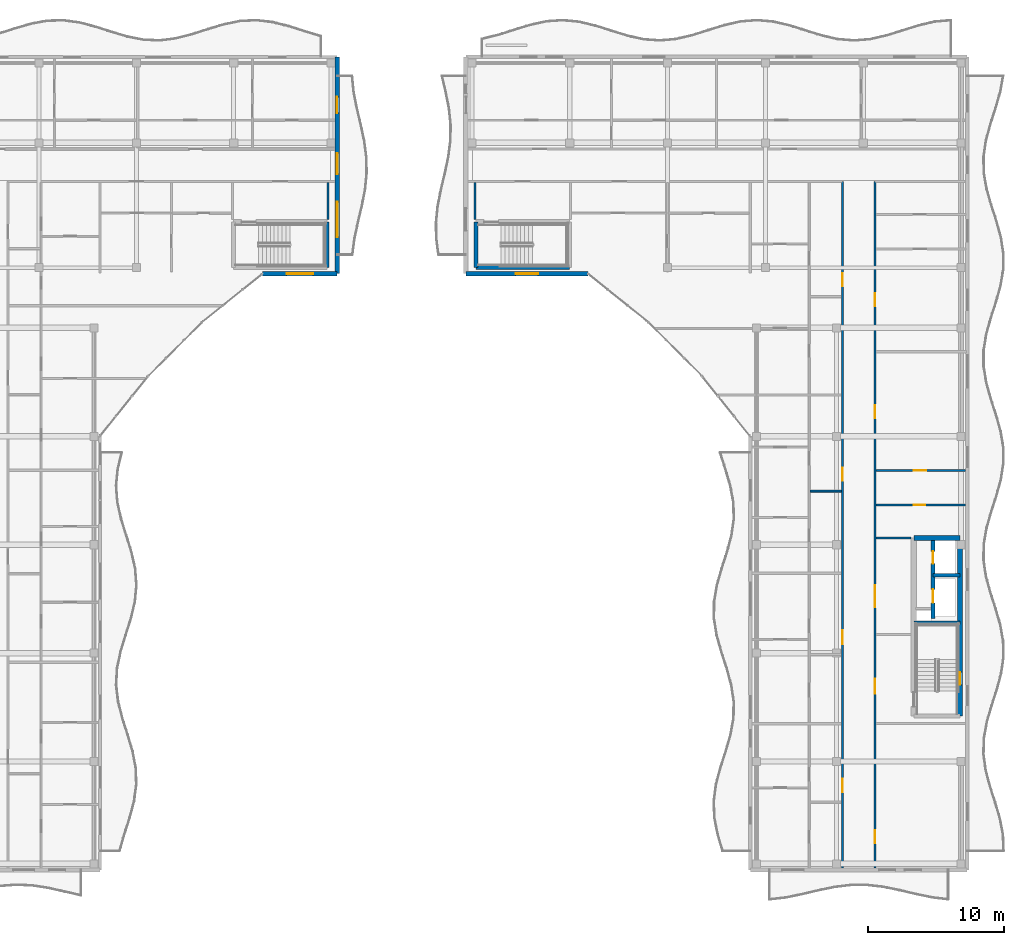
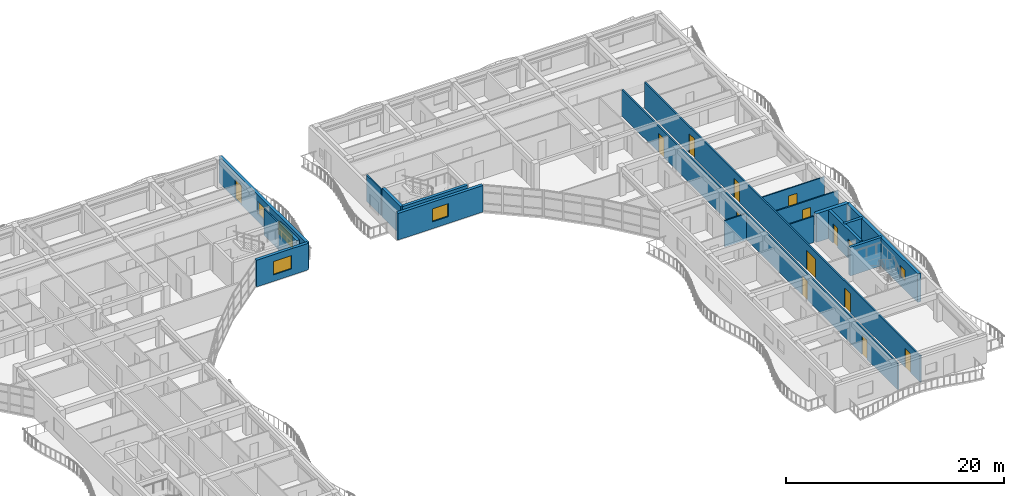
# One storey, part 43 of 72: 19 walls, 14 doors, 5 windows, 19 openings.
"""IFC4 building model written with IfcOpenShell, lengths in metres."""

from ifc_helpers import new_model, si_unit, direction, frame, frame_2d, origin, place, context, subcontext, project, spatial, rectangle, extrude, material, layer, layer_set, type_object, element, fill, save


model = new_model("IFC4")

# Units and contexts
model_context = context("Model", 3, precision=1e-05, world=origin(), true_north=direction((0.0, 1.0)))
body_context = subcontext(model_context, "Body", "Model", "MODEL_VIEW")
ifc_project = project(units=[si_unit("LENGTHUNIT", "METRE"), si_unit("AREAUNIT", "SQUARE_METRE"), si_unit("VOLUMEUNIT", "CUBIC_METRE"), si_unit("PLANEANGLEUNIT", "RADIAN"), si_unit("MASSUNIT", "GRAM", prefix="KILO")], contexts=[model_context])

# Site, building, storey
site_placement = place(None, origin())
site = spatial("IfcSite", under=ifc_project, at=site_placement, CompositionType="ELEMENT")
building_placement = place(site_placement, origin())
building = spatial("IfcBuilding", under=site, at=building_placement, Name="Keldmere Railside Commons", CompositionType="ELEMENT")
storey_placement = place(building_placement, frame((0.0, 0.0, 16.9599609375)))
storey = spatial("IfcBuildingStorey", under=building, at=storey_placement, Name="L05", CompositionType="ELEMENT", Elevation=16.9599609375)

# Wall, opening, door
ifc_material_1 = material(Name="Acoustic Gypsum Board Partition", Category="gypsum")
ifc_layer_1 = layer(ifc_material_1, 0.1201171875, Name="Apartment Interior Partition 120")
ifc_layer_set_1 = layer_set([ifc_layer_1], Name="Acoustic Gypsum Board Partition")
wall_type_1 = type_object("IfcWallType", Name="Apartment Interior Partition 120", PredefinedType="PARTITIONING", material=ifc_layer_set_1)
wall_1_placement = place(storey_placement, frame((177.280029296875, 85.47998046875, 0.0), z_axis=(0.0, 0.0, 1.0), x_axis=(1.0, 0.0, 0.0)))
wall_1 = element("IfcWall", 1, at=wall_1_placement, inside=storey, type_object=wall_type_1, Name="IW-4 IW-L05-1633", PredefinedType="PARTITIONING", context=body_context, shape_type="SweptSolid", body=[
    extrude(rectangle(XDim=6.590087890625, YDim=0.1201171875, at=frame_2d((3.294921875, 0.0))), origin(), (0.0, 0.0, 1.0), 2.93505859375),
])
opening_1_placement = place(wall_1_placement, frame((2.767822265625, 0.0, 0.0)))
opening_1 = element("IfcOpeningElement", 2, at=opening_1_placement, cuts=wall_1, Name="Opening ID-03", PredefinedType="OPENING", context=body_context, shape_type="SweptSolid", body=[
    extrude(rectangle(XDim=0.919921875, YDim=2.10009765625, at=frame_2d((0.4599609375, 1.050048828125))), frame((0.0, 0.070068359375, 0.0), z_axis=(0.0, -1.0, 0.0), x_axis=(1.0, 0.0, 0.0)), (0.0, 0.0, 1.0), 0.14013671875),
])
ifc_material_2 = material(Name="Engineered Oak Timber", Category="wood")
door_type_1 = type_object("IfcDoorType", Name="Kitchen Pocket-Frame Swing Door 920x2100", OperationType="NOTDEFINED", PredefinedType="DOOR", material=ifc_material_2)
door_1_placement = place(opening_1_placement, origin())
door_1 = element("IfcDoor", 3, at=door_1_placement, inside=storey, type_object=door_type_1, Name="ID-03 IDR-L05-1482", OperationType="SINGLE_SWING_RIGHT", OverallHeight=2.10009765625, OverallWidth=0.919921875, PredefinedType="DOOR", context=body_context, shape_type="SweptSolid", body=[
    extrude(rectangle(XDim=0.919921875, YDim=2.10009765625, at=frame_2d((0.4599609375, 1.050048828125))), frame((0.0, 0.02490234375, 0.0), z_axis=(0.0, -1.0, 0.0), x_axis=(1.0, 0.0, 0.0)), (0.0, 0.0, 1.0), 0.050048828125),
])
fill(opening_1, door_1)

# Walls
ifc_material_3 = material(Name="Concrete H-35 (C35/45)", Category="concrete")
ifc_layer_2 = layer(ifc_material_3, 0.280029296875, Name="Core Shear Wall 280")
ifc_layer_set_2 = layer_set([ifc_layer_2], Name="Concrete H-35 (C35/45)")
wall_type_2 = type_object("IfcWallType", Name="Core Shear Wall 280", PredefinedType="SHEAR", material=ifc_layer_set_2)
wall_2_placement = place(storey_placement, frame((180.06005859375, 74.239990234375, 0.0), z_axis=(0.0, 0.0, 1.0), x_axis=(1.0, 0.0, 0.0)))
element("IfcWall", 4, at=wall_2_placement, inside=storey, type_object=wall_type_2, Name="CSW-2 COREAM-L05-0772", PredefinedType="SHEAR", context=body_context, shape_type="SweptSolid", body=[
    extrude(rectangle(XDim=3.409912109375, YDim=0.280029296875, at=frame_2d((1.705078125, 0.0))), origin(), (0.0, 0.0, 1.0), 3.199951171875),
])
wall_3_placement = place(storey_placement, frame((181.469970703125, 77.75, 0.0), z_axis=(0.0, 0.0, 1.0), x_axis=(1.0, 0.0, 0.0)))
element("IfcWall", 5, at=wall_3_placement, inside=storey, type_object=wall_type_2, Name="CSW-2 COREAL-L05-0773", PredefinedType="SHEAR", context=body_context, shape_type="SweptSolid", body=[
    extrude(rectangle(XDim=2.0, YDim=0.280029296875, at=frame_2d((1.0, 0.0))), origin(), (0.0, 0.0, 1.0), 3.199951171875),
])

# Wall, openings, doors
wall_4_placement = place(storey_placement, frame((181.469970703125, 74.550048828125, 0.0), z_axis=(0.0, 0.0, 1.0), x_axis=(0.0, 1.0, 0.0)))
wall_4 = element("IfcWall", 6, at=wall_4_placement, inside=storey, type_object=wall_type_2, Name="CSW-2 LSHA-L05-0774", PredefinedType="SHEAR", context=body_context, shape_type="SweptSolid", body=[
    extrude(rectangle(XDim=5.949951171875, YDim=0.280029296875, at=frame_2d((2.97509765625, 0.0))), origin(), (0.0, 0.0, 1.0), 3.199951171875),
])
opening_2_placement = place(wall_4_placement, frame((1.14990234375, 0.0, 0.0)))
opening_2 = element("IfcOpeningElement", 7, at=opening_2_placement, cuts=wall_4, Name="Opening LD-1", PredefinedType="OPENING", context=body_context, shape_type="SweptSolid", body=[
    extrude(rectangle(XDim=1.0, YDim=2.14990234375, at=frame_2d((0.5, 1.074951171875))), frame((0.0, 0.14990234375, 0.0), z_axis=(0.0, -1.0, 0.0), x_axis=(1.0, 0.0, 0.0)), (0.0, 0.0, 1.0), 0.300048828125),
])
opening_3_placement = place(wall_4_placement, frame((4.050048828125, 0.0, 0.0)))
opening_3 = element("IfcOpeningElement", 8, at=opening_3_placement, cuts=wall_4, Name="Opening LD-2", PredefinedType="OPENING", context=body_context, shape_type="SweptSolid", body=[
    extrude(rectangle(XDim=0.89990234375, YDim=2.14990234375, at=frame_2d((0.449951171875, 1.074951171875))), frame((0.0, 0.14990234375, 0.0), z_axis=(0.0, -1.0, 0.0), x_axis=(1.0, 0.0, 0.0)), (0.0, 0.0, 1.0), 0.300048828125),
])
ifc_material_4 = material(Name="Steel F-24 (S235)", Category="steel")
door_type_2 = type_object("IfcDoorType", Name="Firefighting Stretcher Lift Landing Door 1000x2150", OperationType="SLIDING_TO_LEFT", PredefinedType="DOOR", material=ifc_material_4)
door_2_placement = place(opening_2_placement, origin())
door_2 = element("IfcDoor", 9, at=door_2_placement, inside=storey, type_object=door_type_2, Name="LD-1 A L05", OperationType="SLIDING_TO_LEFT", OverallHeight=2.14990234375, OverallWidth=1.0, PredefinedType="DOOR", context=body_context, shape_type="SweptSolid", body=[
    extrude(rectangle(XDim=1.0, YDim=2.14990234375, at=frame_2d((0.5, 1.074951171875))), frame((0.0, 0.02490234375, 0.0), z_axis=(0.0, -1.0, 0.0), x_axis=(1.0, 0.0, 0.0)), (0.0, 0.0, 1.0), 0.050048828125),
])
fill(opening_2, door_2)
door_type_3 = type_object("IfcDoorType", Name="Passenger Lift Sliding Landing Door 900x2150", OperationType="SLIDING_TO_RIGHT", PredefinedType="DOOR", material=ifc_material_4)
door_3_placement = place(opening_3_placement, origin())
door_3 = element("IfcDoor", 10, at=door_3_placement, inside=storey, type_object=door_type_3, Name="LD-2 A L05", OperationType="SLIDING_TO_RIGHT", OverallHeight=2.14990234375, OverallWidth=0.89990234375, PredefinedType="DOOR", context=body_context, shape_type="SweptSolid", body=[
    extrude(rectangle(XDim=0.89990234375, YDim=2.14990234375, at=frame_2d((0.449951171875, 1.074951171875))), frame((0.0, 0.02490234375, 0.0), z_axis=(0.0, -1.0, 0.0), x_axis=(1.0, 0.0, 0.0)), (0.0, 0.0, 1.0), 0.050048828125),
])
fill(opening_3, door_3)

# Wall
ifc_material_5 = material(Name="Concrete H-40 (C40/50)", Category="concrete")
ifc_layer_3 = layer(ifc_material_5, 0.3798828125, Name="Core Shear Wall 380")
ifc_layer_set_3 = layer_set([ifc_layer_3], Name="Concrete H-40 (C40/50)")
wall_type_3 = type_object("IfcWallType", Name="Core Shear Wall 380", PredefinedType="SHEAR", material=ifc_layer_set_3)
wall_5_placement = place(storey_placement, frame((180.06005859375, 80.5, 0.0), z_axis=(0.0, 0.0, 1.0), x_axis=(1.0, 0.0, 0.0)))
element("IfcWall", 11, at=wall_5_placement, inside=storey, type_object=wall_type_3, Name="CW-CORE COREAN-L05-0769", PredefinedType="SHEAR", context=body_context, shape_type="SweptSolid", body=[
    extrude(rectangle(XDim=3.409912109375, YDim=0.3798828125, at=frame_2d((1.705078125, 0.0))), origin(), (0.0, 0.0, 1.0), 3.199951171875),
])

# Wall, openings, doors
ifc_layer_4 = layer(ifc_material_1, 0.159912109375, Name="Corridor Fire Partition 160")
ifc_layer_set_4 = layer_set([ifc_layer_4], Name="Acoustic Gypsum Board Partition")
wall_type_4 = type_object("IfcWallType", Name="Corridor Fire Partition 160", PredefinedType="PARTITIONING", material=ifc_layer_set_4)
wall_6_placement = place(storey_placement, frame((174.800048828125, 56.159912109375, 0.0), z_axis=(0.0, 0.0, 1.0), x_axis=(0.0, 1.0, 0.0)))
wall_6 = element("IfcWall", 12, at=wall_6_placement, inside=storey, type_object=wall_type_4, Name="IW-2 IW-L05-1596", PredefinedType="PARTITIONING", context=body_context, shape_type="SweptSolid", body=[
    extrude(rectangle(XDim=50.64013671875, YDim=0.159912109375, at=frame_2d((25.320068359375, 0.0))), origin(), (0.0, 0.0, 1.0), 2.93505859375),
])
opening_4_placement = place(wall_6_placement, frame((5.590087890625, 0.0, 0.0)))
opening_4 = element("IfcOpeningElement", 13, at=opening_4_placement, cuts=wall_6, Name="Opening FD-7", PredefinedType="OPENING", context=body_context, shape_type="SweptSolid", body=[
    extrude(rectangle(XDim=0.97998046875, YDim=2.14990234375, at=frame_2d((0.489990234375, 1.074951171875))), frame((0.0, 0.08984375, 0.0), z_axis=(0.0, -1.0, 0.0), x_axis=(1.0, 0.0, 0.0)), (0.0, 0.0, 1.0), 0.179931640625),
])
opening_5_placement = place(wall_6_placement, frame((16.489990234375, 0.0, 0.0)))
opening_5 = element("IfcOpeningElement", 14, at=opening_5_placement, cuts=wall_6, Name="Opening FD-8", PredefinedType="OPENING", context=body_context, shape_type="SweptSolid", body=[
    extrude(rectangle(XDim=1.02001953125, YDim=2.14990234375, at=frame_2d((0.510009765625, 1.074951171875))), frame((0.0, 0.08984375, 0.0), z_axis=(0.0, -1.0, 0.0), x_axis=(1.0, 0.0, 0.0)), (0.0, 0.0, 1.0), 0.179931640625),
])
opening_6_placement = place(wall_6_placement, frame((28.550048828125, 0.0, 0.0)))
opening_6 = element("IfcOpeningElement", 15, at=opening_6_placement, cuts=wall_6, Name="Opening FD-7", PredefinedType="OPENING", context=body_context, shape_type="SweptSolid", body=[
    extrude(rectangle(XDim=0.97998046875, YDim=2.14990234375, at=frame_2d((0.489990234375, 1.074951171875))), frame((0.0, 0.08984375, 0.0), z_axis=(0.0, -1.0, 0.0), x_axis=(1.0, 0.0, 0.0)), (0.0, 0.0, 1.0), 0.179931640625),
])
opening_7_placement = place(wall_6_placement, frame((42.89990234375, 0.0, 0.0)))
opening_7 = element("IfcOpeningElement", 16, at=opening_7_placement, cuts=wall_6, Name="Opening FD-7", PredefinedType="OPENING", context=body_context, shape_type="SweptSolid", body=[
    extrude(rectangle(XDim=0.97998046875, YDim=2.14990234375, at=frame_2d((0.489990234375, 1.074951171875))), frame((0.0, 0.08984375, 0.0), z_axis=(0.0, -1.0, 0.0), x_axis=(1.0, 0.0, 0.0)), (0.0, 0.0, 1.0), 0.179931640625),
])
door_type_4 = type_object("IfcDoorType", Name="Adaptable Apartment Entrance Fire Door 1020x2150", OperationType="NOTDEFINED", PredefinedType="DOOR", material=ifc_material_2)
door_4_placement = place(opening_5_placement, origin())
door_4 = element("IfcDoor", 17, at=door_4_placement, inside=storey, type_object=door_type_4, Name="FD-8 IDR-L05-1454", OperationType="SINGLE_SWING_RIGHT", OverallHeight=2.14990234375, OverallWidth=1.02001953125, PredefinedType="DOOR", context=body_context, shape_type="SweptSolid", body=[
    extrude(rectangle(XDim=1.02001953125, YDim=2.14990234375, at=frame_2d((0.510009765625, 1.074951171875))), frame((0.0, 0.02490234375, 0.0), z_axis=(0.0, -1.0, 0.0), x_axis=(1.0, 0.0, 0.0)), (0.0, 0.0, 1.0), 0.050048828125),
])
fill(opening_5, door_4)
door_type_5 = type_object("IfcDoorType", Name="Apartment Entrance Acoustic Fire Door 980x2150", OperationType="NOTDEFINED", PredefinedType="DOOR", material=ifc_material_2)
door_5_placement = place(opening_4_placement, origin())
door_5 = element("IfcDoor", 18, at=door_5_placement, inside=storey, type_object=door_type_5, Name="FD-7 IDR-L05-1450", OperationType="SINGLE_SWING_RIGHT", OverallHeight=2.14990234375, OverallWidth=0.97998046875, PredefinedType="DOOR", context=body_context, shape_type="SweptSolid", body=[
    extrude(rectangle(XDim=0.97998046875, YDim=2.14990234375, at=frame_2d((0.489990234375, 1.074951171875))), frame((0.0, 0.02490234375, 0.0), z_axis=(0.0, -1.0, 0.0), x_axis=(1.0, 0.0, 0.0)), (0.0, 0.0, 1.0), 0.050048828125),
])
fill(opening_4, door_5)
door_6_placement = place(opening_6_placement, origin())
door_6 = element("IfcDoor", 19, at=door_6_placement, inside=storey, type_object=door_type_5, Name="FD-7 IDR-L05-1458", OperationType="SINGLE_SWING_RIGHT", OverallHeight=2.14990234375, OverallWidth=0.97998046875, PredefinedType="DOOR", context=body_context, shape_type="SweptSolid", body=[
    extrude(rectangle(XDim=0.97998046875, YDim=2.14990234375, at=frame_2d((0.489990234375, 1.074951171875))), frame((0.0, 0.02490234375, 0.0), z_axis=(0.0, -1.0, 0.0), x_axis=(1.0, 0.0, 0.0)), (0.0, 0.0, 1.0), 0.050048828125),
])
fill(opening_6, door_6)
door_7_placement = place(opening_7_placement, origin())
door_7 = element("IfcDoor", 20, at=door_7_placement, inside=storey, type_object=door_type_5, Name="FD-7 IDR-L05-1463", OperationType="SINGLE_SWING_LEFT", OverallHeight=2.14990234375, OverallWidth=0.97998046875, PredefinedType="DOOR", context=body_context, shape_type="SweptSolid", body=[
    extrude(rectangle(XDim=0.97998046875, YDim=2.14990234375, at=frame_2d((0.489990234375, 1.074951171875))), frame((0.0, 0.02490234375, 0.0), z_axis=(0.0, -1.0, 0.0), x_axis=(1.0, 0.0, 0.0)), (0.0, 0.0, 1.0), 0.050048828125),
])
fill(opening_7, door_7)

wall_7_placement = place(storey_placement, frame((177.199951171875, 56.159912109375, 0.0), z_axis=(0.0, 0.0, 1.0), x_axis=(0.0, 1.0, 0.0)))
wall_7 = element("IfcWall", 21, at=wall_7_placement, inside=storey, type_object=wall_type_4, Name="IW-2 IW-L05-1597", PredefinedType="PARTITIONING", context=body_context, shape_type="SweptSolid", body=[
    extrude(rectangle(XDim=50.64013671875, YDim=0.159912109375, at=frame_2d((25.320068359375, 0.0))), origin(), (0.0, 0.0, 1.0), 2.93505859375),
])
opening_8_placement = place(wall_7_placement, frame((12.840087890625, 0.0, 0.0)))
opening_8 = element("IfcOpeningElement", 22, at=opening_8_placement, cuts=wall_7, Name="Opening FD-2", PredefinedType="OPENING", context=body_context, shape_type="SweptSolid", body=[
    extrude(rectangle(XDim=1.10009765625, YDim=2.14990234375, at=frame_2d((0.550048828125, 1.074951171875))), frame((0.0, 0.08984375, 0.0), z_axis=(0.0, -1.0, 0.0), x_axis=(1.0, 0.0, 0.0)), (0.0, 0.0, 1.0), 0.179931640625),
])
opening_9_placement = place(wall_7_placement, frame((19.239990234375, 0.0, 0.0)))
opening_9 = element("IfcOpeningElement", 23, at=opening_9_placement, cuts=wall_7, Name="Opening FD-4", PredefinedType="OPENING", context=body_context, shape_type="SweptSolid", body=[
    extrude(rectangle(XDim=1.60009765625, YDim=2.14990234375, at=frame_2d((0.800048828125, 1.074951171875))), frame((0.0, 0.08984375, 0.0), z_axis=(0.0, -1.0, 0.0), x_axis=(1.0, 0.0, 0.0)), (0.0, 0.0, 1.0), 0.179931640625),
])
opening_10_placement = place(wall_7_placement, frame((1.800048828125, 0.0, 0.0)))
opening_10 = element("IfcOpeningElement", 24, at=opening_10_placement, cuts=wall_7, Name="Opening ID-08", PredefinedType="OPENING", context=body_context, shape_type="SweptSolid", body=[
    extrude(rectangle(XDim=0.9599609375, YDim=2.14990234375, at=frame_2d((0.47998046875, 1.074951171875))), frame((0.0, 0.08984375, 0.0), z_axis=(0.0, -1.0, 0.0), x_axis=(1.0, 0.0, 0.0)), (0.0, 0.0, 1.0), 0.179931640625),
])
opening_11_placement = place(wall_7_placement, frame((33.169921875, 0.0, 0.0)))
opening_11 = element("IfcOpeningElement", 25, at=opening_11_placement, cuts=wall_7, Name="Opening FD-7", PredefinedType="OPENING", context=body_context, shape_type="SweptSolid", body=[
    extrude(rectangle(XDim=0.97998046875, YDim=2.14990234375, at=frame_2d((0.489990234375, 1.074951171875))), frame((0.0, 0.08984375, 0.0), z_axis=(0.0, -1.0, 0.0), x_axis=(1.0, 0.0, 0.0)), (0.0, 0.0, 1.0), 0.179931640625),
])
opening_12_placement = place(wall_7_placement, frame((41.429931640625, 0.0, 0.0)))
opening_12 = element("IfcOpeningElement", 26, at=opening_12_placement, cuts=wall_7, Name="Opening FD-7", PredefinedType="OPENING", context=body_context, shape_type="SweptSolid", body=[
    extrude(rectangle(XDim=0.97998046875, YDim=2.14990234375, at=frame_2d((0.489990234375, 1.074951171875))), frame((0.0, 0.08984375, 0.0), z_axis=(0.0, -1.0, 0.0), x_axis=(1.0, 0.0, 0.0)), (0.0, 0.0, 1.0), 0.179931640625),
])
door_8_placement = place(opening_11_placement, origin())
door_8 = element("IfcDoor", 27, at=door_8_placement, inside=storey, type_object=door_type_5, Name="FD-7 IDR-L05-1483", OperationType="SINGLE_SWING_LEFT", OverallHeight=2.14990234375, OverallWidth=0.97998046875, PredefinedType="DOOR", context=body_context, shape_type="SweptSolid", body=[
    extrude(rectangle(XDim=0.97998046875, YDim=2.14990234375, at=frame_2d((0.489990234375, 1.074951171875))), frame((0.0, 0.02490234375, 0.0), z_axis=(0.0, -1.0, 0.0), x_axis=(1.0, 0.0, 0.0)), (0.0, 0.0, 1.0), 0.050048828125),
])
fill(opening_11, door_8)
door_9_placement = place(opening_12_placement, origin())
door_9 = element("IfcDoor", 28, at=door_9_placement, inside=storey, type_object=door_type_5, Name="FD-7 IDR-L05-1486", OperationType="SINGLE_SWING_RIGHT", OverallHeight=2.14990234375, OverallWidth=0.97998046875, PredefinedType="DOOR", context=body_context, shape_type="SweptSolid", body=[
    extrude(rectangle(XDim=0.97998046875, YDim=2.14990234375, at=frame_2d((0.489990234375, 1.074951171875))), frame((0.0, 0.02490234375, 0.0), z_axis=(0.0, -1.0, 0.0), x_axis=(1.0, 0.0, 0.0)), (0.0, 0.0, 1.0), 0.050048828125),
])
fill(opening_12, door_9)
door_type_6 = type_object("IfcDoorType", Name="Corridor Cross-Compartment Double Fire Door 1600x2150", OperationType="DOUBLE_DOOR_SINGLE_SWING", PredefinedType="DOOR", material=ifc_material_4)
door_10_placement = place(opening_9_placement, origin())
door_10 = element("IfcDoor", 29, at=door_10_placement, inside=storey, type_object=door_type_6, Name="FD-4 IDR-L05-1447", OperationType="DOUBLE_DOOR_SINGLE_SWING", OverallHeight=2.14990234375, OverallWidth=1.60009765625, PredefinedType="DOOR", context=body_context, shape_type="SweptSolid", body=[
    extrude(rectangle(XDim=1.60009765625, YDim=2.14990234375, at=frame_2d((0.800048828125, 1.074951171875))), frame((0.0, 0.02490234375, 0.0), z_axis=(0.0, -1.0, 0.0), x_axis=(1.0, 0.0, 0.0)), (0.0, 0.0, 1.0), 0.050048828125),
])
fill(opening_9, door_10)
door_type_7 = type_object("IfcDoorType", Name="Firefighting Lobby Fire Door 1100x2150", OperationType="NOTDEFINED", PredefinedType="DOOR", material=ifc_material_4)
door_11_placement = place(opening_8_placement, origin())
door_11 = element("IfcDoor", 30, at=door_11_placement, inside=storey, type_object=door_type_7, Name="FD-2 IDR-L05-1446", OperationType="SINGLE_SWING_RIGHT", OverallHeight=2.14990234375, OverallWidth=1.10009765625, PredefinedType="DOOR", context=body_context, shape_type="SweptSolid", body=[
    extrude(rectangle(XDim=1.10009765625, YDim=2.14990234375, at=frame_2d((0.550048828125, 1.074951171875))), frame((0.0, 0.02490234375, 0.0), z_axis=(0.0, -1.0, 0.0), x_axis=(1.0, 0.0, 0.0)), (0.0, 0.0, 1.0), 0.050048828125),
])
fill(opening_8, door_11)
door_type_8 = type_object("IfcDoorType", Name="Study & Meeting Room Door 960x2150", OperationType="NOTDEFINED", PredefinedType="DOOR", material=ifc_material_2)
door_12_placement = place(opening_10_placement, origin())
door_12 = element("IfcDoor", 31, at=door_12_placement, inside=storey, type_object=door_type_8, Name="ID-08 IDR-L05-1480", OperationType="SINGLE_SWING_RIGHT", OverallHeight=2.14990234375, OverallWidth=0.9599609375, PredefinedType="DOOR", context=body_context, shape_type="SweptSolid", body=[
    extrude(rectangle(XDim=0.9599609375, YDim=2.14990234375, at=frame_2d((0.47998046875, 1.074951171875))), frame((0.0, 0.02490234375, 0.0), z_axis=(0.0, -1.0, 0.0), x_axis=(1.0, 0.0, 0.0)), (0.0, 0.0, 1.0), 0.050048828125),
])
fill(opening_10, door_12)

# Wall, opening, window
ifc_layer_5 = layer(ifc_material_3, 0.320068359375, Name="Exterior Shear Wall 320")
ifc_layer_set_5 = layer_set([ifc_layer_5], Name="Concrete H-35 (C35/45)")
wall_type_5 = type_object("IfcWallType", Name="Exterior Shear Wall 320", PredefinedType="SHEAR", material=ifc_layer_set_5)
wall_8_placement = place(storey_placement, frame((137.5, 100.0, 0.0), z_axis=(0.0, 0.0, 1.0), x_axis=(-1.0, 0.0, 0.0)))
wall_8 = element("IfcWall", 32, at=wall_8_placement, inside=storey, type_object=wall_type_5, Name="ESW-2 EXTB-L05-0622", PredefinedType="SHEAR", context=body_context, shape_type="SweptSolid", body=[
    extrude(rectangle(XDim=5.5, YDim=0.320068359375, at=frame_2d((2.75, 0.0))), origin(), (0.0, 0.0, 1.0), 2.97998046875),
])
opening_13_placement = place(wall_8_placement, frame((1.77490234375, 0.0, 0.719970703125)))
opening_13 = element("IfcOpeningElement", 33, at=opening_13_placement, cuts=wall_8, Name="Opening WN-38", PredefinedType="OPENING", context=body_context, shape_type="SweptSolid", body=[
    extrude(rectangle(XDim=1.949951171875, YDim=1.5, at=frame_2d((0.97509765625, 0.75))), frame((0.0, 0.169921875, 0.0), z_axis=(0.0, -1.0, 0.0), x_axis=(1.0, 0.0, 0.0)), (0.0, 0.0, 1.0), 0.340087890625),
])
ifc_material_6 = material(Name="Low-E Insulated Double Glazing", Category="glass")
window_type_1 = type_object("IfcWindowType", Name="Adaptable Apartment Wide Window 1950x1500", PartitioningType="SINGLE_PANEL", PredefinedType="WINDOW", material=ifc_material_6)
window_1_placement = place(opening_13_placement, origin())
window_1 = element("IfcWindow", 34, at=window_1_placement, inside=storey, type_object=window_type_1, Name="WN-38 WIN-L05-0442", OverallHeight=1.5, OverallWidth=1.949951171875, PartitioningType="SINGLE_PANEL", PredefinedType="WINDOW", context=body_context, shape_type="SweptSolid", body=[
    extrude(rectangle(XDim=1.949951171875, YDim=1.5, at=frame_2d((0.97509765625, 0.75))), frame((0.0, 0.030029296875, 0.0), z_axis=(0.0, -1.0, 0.0), x_axis=(1.0, 0.0, 0.0)), (0.0, 0.0, 1.0), 0.06005859375),
])
fill(opening_13, window_1)

# Wall, openings, door, windows
wall_9_placement = place(storey_placement, frame((137.5, 116.0, 0.0), z_axis=(0.0, 0.0, 1.0), x_axis=(0.0, -1.0, 0.0)))
wall_9 = element("IfcWall", 35, at=wall_9_placement, inside=storey, type_object=wall_type_5, Name="ESW-2 EXTB-L05-0623", PredefinedType="SHEAR", context=body_context, shape_type="SweptSolid", body=[
    extrude(rectangle(XDim=16.0, YDim=0.320068359375, at=frame_2d((8.0, 0.0))), origin(), (0.0, 0.0, 1.0), 2.97998046875),
])
opening_14_placement = place(wall_9_placement, frame((2.949951171875, 0.0, 0.0)))
opening_14 = element("IfcOpeningElement", 36, at=opening_14_placement, cuts=wall_9, Name="Opening BD-01", PredefinedType="OPENING", context=body_context, shape_type="SweptSolid", body=[
    extrude(rectangle(XDim=1.199951171875, YDim=2.199951171875, at=frame_2d((0.60009765625, 1.10009765625))), frame((0.0, 0.169921875, 0.0), z_axis=(0.0, -1.0, 0.0), x_axis=(1.0, 0.0, 0.0)), (0.0, 0.0, 1.0), 0.340087890625),
])
opening_15_placement = place(wall_9_placement, frame((7.10009765625, 0.0, 0.820068359375)))
opening_15 = element("IfcOpeningElement", 37, at=opening_15_placement, cuts=wall_9, Name="Opening WN-07", PredefinedType="OPENING", context=body_context, shape_type="SweptSolid", body=[
    extrude(rectangle(XDim=1.550048828125, YDim=1.39990234375, at=frame_2d((0.77490234375, 0.699951171875))), frame((0.0, 0.169921875, 0.0), z_axis=(0.0, -1.0, 0.0), x_axis=(1.0, 0.0, 0.0)), (0.0, 0.0, 1.0), 0.340087890625),
])
opening_16_placement = place(wall_9_placement, frame((10.699951171875, 0.0, 0.669921875)))
opening_16 = element("IfcOpeningElement", 38, at=opening_16_placement, cuts=wall_9, Name="Opening WN-39", PredefinedType="OPENING", context=body_context, shape_type="SweptSolid", body=[
    extrude(rectangle(XDim=2.60009765625, YDim=1.550048828125, at=frame_2d((1.300048828125, 0.77490234375))), frame((0.0, 0.169921875, 0.0), z_axis=(0.0, -1.0, 0.0), x_axis=(1.0, 0.0, 0.0)), (0.0, 0.0, 1.0), 0.340087890625),
])
ifc_material_7 = material(Name="Thermally Broken Aluminium", Category="aluminium")
door_type_9 = type_object("IfcDoorType", Name="Apartment Living Wave-Balcony Glazed Door 1200x2200", OperationType="NOTDEFINED", PredefinedType="DOOR", material=ifc_material_7)
door_13_placement = place(opening_14_placement, origin())
door_13 = element("IfcDoor", 39, at=door_13_placement, inside=storey, type_object=door_type_9, Name="BD-01 DR-L05-0162", OperationType="SINGLE_SWING_RIGHT", OverallHeight=2.199951171875, OverallWidth=1.199951171875, PredefinedType="DOOR", context=body_context, shape_type="SweptSolid", body=[
    extrude(rectangle(XDim=1.199951171875, YDim=2.199951171875, at=frame_2d((0.60009765625, 1.10009765625))), frame((0.0, 0.02490234375, 0.0), z_axis=(0.0, -1.0, 0.0), x_axis=(1.0, 0.0, 0.0)), (0.0, 0.0, 1.0), 0.050048828125),
])
fill(opening_14, door_13)
window_type_2 = type_object("IfcWindowType", Name="Primary Bedroom South Window 1550x1400", PartitioningType="SINGLE_PANEL", PredefinedType="WINDOW", material=ifc_material_6)
window_2_placement = place(opening_15_placement, origin())
window_2 = element("IfcWindow", 40, at=window_2_placement, inside=storey, type_object=window_type_2, Name="WN-07 WIN-L05-0443", OverallHeight=1.39990234375, OverallWidth=1.550048828125, PartitioningType="SINGLE_PANEL", PredefinedType="WINDOW", context=body_context, shape_type="SweptSolid", body=[
    extrude(rectangle(XDim=1.550048828125, YDim=1.39990234375, at=frame_2d((0.77490234375, 0.699951171875))), frame((0.0, 0.030029296875, 0.0), z_axis=(0.0, -1.0, 0.0), x_axis=(1.0, 0.0, 0.0)), (0.0, 0.0, 1.0), 0.06005859375),
])
fill(opening_15, window_2)
window_type_3 = type_object("IfcWindowType", Name="Three-Bed Corner Living Window 2600x1550", PartitioningType="SINGLE_PANEL", PredefinedType="WINDOW", material=ifc_material_6)
window_3_placement = place(opening_16_placement, origin())
window_3 = element("IfcWindow", 41, at=window_3_placement, inside=storey, type_object=window_type_3, Name="WN-39 WIN-L05-0444", OverallHeight=1.550048828125, OverallWidth=2.60009765625, PartitioningType="SINGLE_PANEL", PredefinedType="WINDOW", context=body_context, shape_type="SweptSolid", body=[
    extrude(rectangle(XDim=2.60009765625, YDim=1.550048828125, at=frame_2d((1.300048828125, 0.77490234375))), frame((0.0, 0.030029296875, 0.0), z_axis=(0.0, -1.0, 0.0), x_axis=(1.0, 0.0, 0.0)), (0.0, 0.0, 1.0), 0.06005859375),
])
fill(opening_16, window_3)

# Wall, opening, window
wall_10_placement = place(storey_placement, frame((156.0, 100.0, 0.0), z_axis=(0.0, 0.0, 1.0), x_axis=(-1.0, 0.0, 0.0)))
wall_10 = element("IfcWall", 42, at=wall_10_placement, inside=storey, type_object=wall_type_5, Name="ESW-2 EXTA-L05-0914", PredefinedType="SHEAR", context=body_context, shape_type="SweptSolid", body=[
    extrude(rectangle(XDim=9.0, YDim=0.320068359375, at=frame_2d((4.5, 0.0))), origin(), (0.0, 0.0, 1.0), 2.97998046875),
])
opening_17_placement = place(wall_10_placement, frame((3.675048828125, 0.0, 0.77001953125)))
opening_17 = element("IfcOpeningElement", 43, at=opening_17_placement, cuts=wall_10, Name="Opening WN-03", PredefinedType="OPENING", context=body_context, shape_type="SweptSolid", body=[
    extrude(rectangle(XDim=1.64990234375, YDim=1.449951171875, at=frame_2d((0.824951171875, 0.72509765625))), frame((0.0, 0.169921875, 0.0), z_axis=(0.0, -1.0, 0.0), x_axis=(1.0, 0.0, 0.0)), (0.0, 0.0, 1.0), 0.340087890625),
])
window_type_4 = type_object("IfcWindowType", Name="Living Room East Shaded Window 1650x1450", PartitioningType="SINGLE_PANEL", PredefinedType="WINDOW", material=ifc_material_6)
window_4_placement = place(opening_17_placement, origin())
window_4 = element("IfcWindow", 44, at=window_4_placement, inside=storey, type_object=window_type_4, Name="WN-03 WIN-L05-0677", OverallHeight=1.449951171875, OverallWidth=1.64990234375, PartitioningType="SINGLE_PANEL", PredefinedType="WINDOW", context=body_context, shape_type="SweptSolid", body=[
    extrude(rectangle(XDim=1.64990234375, YDim=1.449951171875, at=frame_2d((0.824951171875, 0.72509765625))), frame((0.0, 0.030029296875, 0.0), z_axis=(0.0, -1.0, 0.0), x_axis=(1.0, 0.0, 0.0)), (0.0, 0.0, 1.0), 0.06005859375),
])
fill(opening_17, window_4)

# Walls
ifc_layer_6 = layer(ifc_material_3, 0.300048828125, Name="Interior Shear Wall 300")
ifc_layer_set_6 = layer_set([ifc_layer_6], Name="Concrete H-35 (C35/45)")
wall_type_6 = type_object("IfcWallType", Name="Interior Shear Wall 300", PredefinedType="SHEAR", material=ifc_layer_set_6)
wall_11_placement = place(storey_placement, frame((136.75, 100.449951171875, 0.0), z_axis=(0.0, 0.0, 1.0), x_axis=(0.0, 1.0, 0.0)))
element("IfcWall", 45, at=wall_11_placement, inside=storey, type_object=wall_type_6, Name="ISW-2 COREB2E-L05-0503", PredefinedType="SHEAR", context=body_context, shape_type="SweptSolid", body=[
    extrude(rectangle(XDim=3.3701171875, YDim=0.300048828125, at=frame_2d((1.68505859375, 0.0))), origin(), (0.0, 0.0, 1.0), 3.199951171875),
])
wall_12_placement = place(storey_placement, frame((147.75, 100.449951171875, 0.0), z_axis=(0.0, 0.0, 1.0), x_axis=(1.0, 0.0, 0.0)))
element("IfcWall", 46, at=wall_12_placement, inside=storey, type_object=wall_type_6, Name="ISW-2 COREA2S-L05-0776", PredefinedType="SHEAR", context=body_context, shape_type="SweptSolid", body=[
    extrude(rectangle(XDim=6.89990234375, YDim=0.300048828125, at=frame_2d((3.449951171875, 0.0))), origin(), (0.0, 0.0, 1.0), 3.199951171875),
])
wall_13_placement = place(storey_placement, frame((147.75, 103.820068359375, 0.0), z_axis=(0.0, 0.0, 1.0), x_axis=(0.0, -1.0, 0.0)))
element("IfcWall", 47, at=wall_13_placement, inside=storey, type_object=wall_type_6, Name="ISW-2 COREA2W-L05-0778", PredefinedType="SHEAR", context=body_context, shape_type="SweptSolid", body=[
    extrude(rectangle(XDim=3.3701171875, YDim=0.300048828125, at=frame_2d((1.68505859375, 0.0))), origin(), (0.0, 0.0, 1.0), 3.199951171875),
])

# Wall, opening, window
ifc_layer_7 = layer(ifc_material_3, 0.340087890625, Name="Interior Shear Wall 340")
ifc_layer_set_7 = layer_set([ifc_layer_7], Name="Concrete H-35 (C35/45)")
wall_type_7 = type_object("IfcWallType", Name="Interior Shear Wall 340", PredefinedType="SHEAR", material=ifc_layer_set_7)
wall_14_placement = place(storey_placement, frame((183.469970703125, 80.5, 0.0), z_axis=(0.0, 0.0, 1.0), x_axis=(0.0, -1.0, 0.0)))
wall_14 = element("IfcWall", 48, at=wall_14_placement, inside=storey, type_object=wall_type_7, Name="ISW-1 COREAE-L05-0770", PredefinedType="SHEAR", context=body_context, shape_type="SweptSolid", body=[
    extrude(rectangle(XDim=13.14990234375, YDim=0.340087890625, at=frame_2d((6.574951171875, 0.0))), origin(), (0.0, 0.0, 1.0), 3.199951171875),
])
opening_18_placement = place(wall_14_placement, frame((9.89990234375, 0.0, 0.969970703125)))
opening_18 = element("IfcOpeningElement", 49, at=opening_18_placement, cuts=wall_14, Name="Opening WN-17", PredefinedType="OPENING", context=body_context, shape_type="SweptSolid", body=[
    extrude(rectangle(XDim=0.949951171875, YDim=1.25, at=frame_2d((0.47509765625, 0.625))), frame((0.0, 0.179931640625, 0.0), z_axis=(0.0, -1.0, 0.0), x_axis=(1.0, 0.0, 0.0)), (0.0, 0.0, 1.0), 0.360107421875),
])
window_type_5 = type_object("IfcWindowType", Name="Stair Core Natural Smoke-Vent Window 950x1250", PartitioningType="SINGLE_PANEL", PredefinedType="WINDOW", material=ifc_material_6)
window_5_placement = place(opening_18_placement, origin())
window_5 = element("IfcWindow", 50, at=window_5_placement, inside=storey, type_object=window_type_5, Name="WN-17 WIN-L05-0561", OverallHeight=1.25, OverallWidth=0.949951171875, PartitioningType="SINGLE_PANEL", PredefinedType="WINDOW", context=body_context, shape_type="SweptSolid", body=[
    extrude(rectangle(XDim=0.949951171875, YDim=1.25, at=frame_2d((0.47509765625, 0.625))), frame((0.0, 0.030029296875, 0.0), z_axis=(0.0, -1.0, 0.0), x_axis=(1.0, 0.0, 0.0)), (0.0, 0.0, 1.0), 0.06005859375),
])
fill(opening_18, window_5)

# Walls
ifc_layer_8 = layer(ifc_material_1, 0.14990234375, Name="Lobby Rated Partition 150")
ifc_layer_set_8 = layer_set([ifc_layer_8], Name="Acoustic Gypsum Board Partition")
wall_type_8 = type_object("IfcWallType", Name="Lobby Rated Partition 150", PredefinedType="PARTITIONING", material=ifc_layer_set_8)
wall_15_placement = place(storey_placement, frame((136.820068359375, 103.989990234375, 0.0), z_axis=(0.0, 0.0, 1.0), x_axis=(0.0, 1.0, 0.0)))
element("IfcWall", 51, at=wall_15_placement, inside=storey, type_object=wall_type_8, Name="IW-3 IW-L05-1103", PredefinedType="PARTITIONING", context=body_context, shape_type="SweptSolid", body=[
    extrude(rectangle(XDim=2.72998046875, YDim=0.14990234375, at=frame_2d((1.364990234375, 0.0))), origin(), (0.0, 0.0, 1.0), 2.93505859375),
])
wall_16_placement = place(storey_placement, frame((177.280029296875, 80.5, 0.0), z_axis=(0.0, 0.0, 1.0), x_axis=(1.0, 0.0, 0.0)))
element("IfcWall", 52, at=wall_16_placement, inside=storey, type_object=wall_type_8, Name="IW-3 IW-L05-1595", PredefinedType="PARTITIONING", context=body_context, shape_type="SweptSolid", body=[
    extrude(rectangle(XDim=2.590087890625, YDim=0.14990234375, at=frame_2d((1.294921875, 0.0))), origin(), (0.0, 0.0, 1.0), 2.93505859375),
])
wall_17_placement = place(storey_placement, frame((147.679931640625, 103.989990234375, 0.0), z_axis=(0.0, 0.0, 1.0), x_axis=(0.0, 1.0, 0.0)))
element("IfcWall", 53, at=wall_17_placement, inside=storey, type_object=wall_type_8, Name="IW-3 IW-L05-1602", PredefinedType="PARTITIONING", context=body_context, shape_type="SweptSolid", body=[
    extrude(rectangle(XDim=2.72998046875, YDim=0.14990234375, at=frame_2d((1.364990234375, 0.0))), origin(), (0.0, 0.0, 1.0), 2.93505859375),
])
ifc_layer_9 = layer(ifc_material_1, 0.139892578125, Name="Wet-Room Sanitary Partition 140")
ifc_layer_set_9 = layer_set([ifc_layer_9], Name="Acoustic Gypsum Board Partition")
wall_type_9 = type_object("IfcWallType", Name="Wet-Room Sanitary Partition 140", PredefinedType="PARTITIONING", material=ifc_layer_set_9)
wall_18_placement = place(storey_placement, frame((172.39990234375, 83.9599609375, 0.0), z_axis=(0.0, 0.0, 1.0), x_axis=(1.0, 0.0, 0.0)))
element("IfcWall", 54, at=wall_18_placement, inside=storey, type_object=wall_type_9, Name="IW-5 IW-L05-1614", PredefinedType="PARTITIONING", context=body_context, shape_type="SweptSolid", body=[
    extrude(rectangle(XDim=2.320068359375, YDim=0.139892578125, at=frame_2d((1.16015625, 0.0))), origin(), (0.0, 0.0, 1.0), 2.93505859375),
])

# Wall, opening, door
wall_19_placement = place(storey_placement, frame((177.280029296875, 82.929931640625, 0.0), z_axis=(0.0, 0.0, 1.0), x_axis=(1.0, 0.0, 0.0)))
wall_19 = element("IfcWall", 55, at=wall_19_placement, inside=storey, type_object=wall_type_9, Name="IW-5 IW-L05-1632", PredefinedType="PARTITIONING", context=body_context, shape_type="SweptSolid", body=[
    extrude(rectangle(XDim=6.590087890625, YDim=0.139892578125, at=frame_2d((3.294921875, 0.0))), origin(), (0.0, 0.0, 1.0), 2.93505859375),
])
opening_19_placement = place(wall_19_placement, frame((2.767822265625, 0.0, 0.0)))
opening_19 = element("IfcOpeningElement", 56, at=opening_19_placement, cuts=wall_19, Name="Opening ID-04", PredefinedType="OPENING", context=body_context, shape_type="SweptSolid", body=[
    extrude(rectangle(XDim=0.860107421875, YDim=2.10009765625, at=frame_2d((0.43017578125, 1.050048828125))), frame((0.0, 0.079833984375, 0.0), z_axis=(0.0, -1.0, 0.0), x_axis=(1.0, 0.0, 0.0)), (0.0, 0.0, 1.0), 0.159912109375),
])
door_type_10 = type_object("IfcDoorType", Name="Apartment Bathroom Door 860x2100", OperationType="NOTDEFINED", PredefinedType="DOOR", material=ifc_material_2)
door_14_placement = place(opening_19_placement, origin())
door_14 = element("IfcDoor", 57, at=door_14_placement, inside=storey, type_object=door_type_10, Name="ID-04 IDR-L05-1481", OperationType="SINGLE_SWING_LEFT", OverallHeight=2.10009765625, OverallWidth=0.860107421875, PredefinedType="DOOR", context=body_context, shape_type="SweptSolid", body=[
    extrude(rectangle(XDim=0.860107421875, YDim=2.10009765625, at=frame_2d((0.43017578125, 1.050048828125))), frame((0.0, 0.02490234375, 0.0), z_axis=(0.0, -1.0, 0.0), x_axis=(1.0, 0.0, 0.0)), (0.0, 0.0, 1.0), 0.050048828125),
])
fill(opening_19, door_14)

save(model, "model.ifc")
